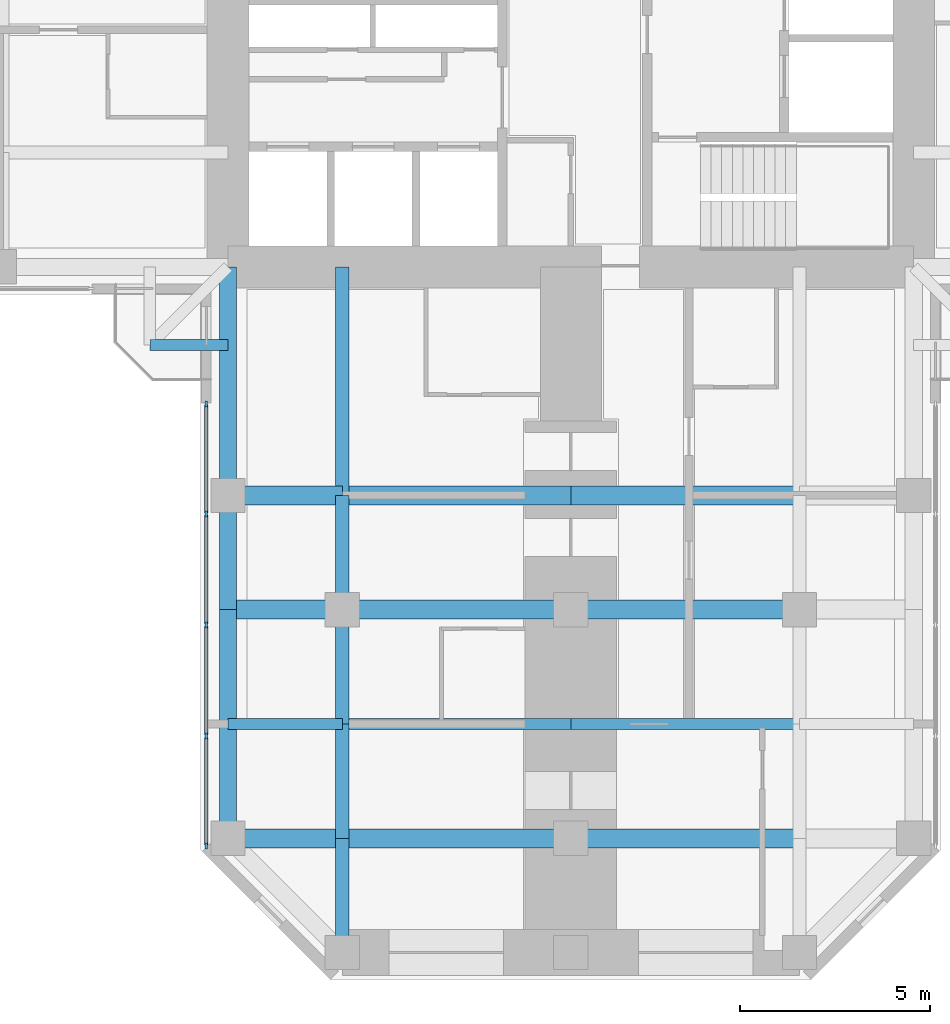
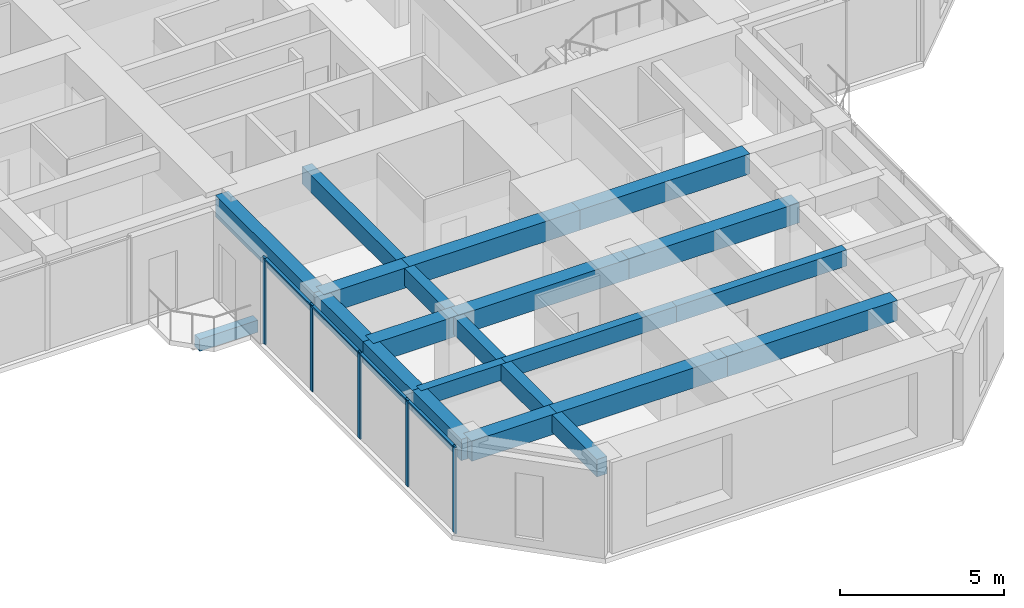
# One storey, part 2 of 14: 22 beams, 9 members, 1 element without a shape of its own.
"""IFC4 building model written with IfcOpenShell, lengths in metres."""

from ifc_helpers import new_model, si_unit, direction, frame, origin, origin_2d, place, context, subcontext, project, spatial, rectangle, extrude, material, material_profile, profile_set, type_object, element, aggregate, save


model = new_model("IFC4")

# Units and contexts
model_context = context("Model", 3, precision=1e-05, world=origin(), true_north=direction((0.0, 1.0)))
body_context = subcontext(model_context, "Body", "Model", "MODEL_VIEW")
ifc_project = project(units=[si_unit("LENGTHUNIT", "METRE"), si_unit("AREAUNIT", "SQUARE_METRE"), si_unit("VOLUMEUNIT", "CUBIC_METRE"), si_unit("PLANEANGLEUNIT", "RADIAN"), si_unit("MASSUNIT", "GRAM", prefix="KILO")], contexts=[model_context])

# Site, building, storey
site_placement = place(None, origin())
site = spatial("IfcSite", under=ifc_project, at=site_placement, CompositionType="ELEMENT")
building_placement = place(site_placement, origin())
building = spatial("IfcBuilding", under=site, at=building_placement, Name="Torre Cruceta", CompositionType="ELEMENT")
storey_placement = place(building_placement, frame((0.0, 0.0, 206.89990234375)))
storey = spatial("IfcBuildingStorey", under=building, at=storey_placement, Name="L52", CompositionType="ELEMENT", Elevation=206.89990234375)

# Beams
ifc_material_1 = material(Name="Concrete G60 (fck 60 MPa)", Category="concrete")
ifc_material_profile_1 = material_profile(ifc_material_1, rectangle(XDim=0.300048828125, YDim=0.449951171875, at=origin_2d()), Name="RC 300X450")
ifc_profile_set_1 = profile_set([ifc_material_profile_1], Name="Concrete G60 (fck 60 MPa)")
beam_type_1 = type_object("IfcBeamType", Name="BALCONY CANTILEVER BEAM RC 300X450", PredefinedType="BEAM", material=ifc_profile_set_1)
beam_1_placement = place(storey_placement, frame((-9.0, -11.050537109375, -0.40478515625), z_axis=(-1.0, 0.0, 0.0), x_axis=(0.0, -1.0, 0.0)))
element("IfcBeam", 1, at=beam_1_placement, inside=storey, type_object=beam_type_1, Name="BB1 balcony edge beam L52 W-Y", PredefinedType="BEAM", context=body_context, shape_type="SweptSolid", body=[
    extrude(rectangle(XDim=0.300048828125, YDim=0.449951171875, at=origin_2d()), origin(), (0.0, 0.0, 1.0), 2.050537109375),
])
ifc_material_2 = material(Name="Concrete G60 (fck 60 MPa)", Category="concrete")
ifc_material_profile_2 = material_profile(ifc_material_2, rectangle(XDim=0.35009765625, YDim=0.64990234375, at=origin_2d()), Name="RC 350X650")
ifc_profile_set_2 = profile_set([ifc_material_profile_2], Name="Concrete G60 (fck 60 MPa)")
beam_type_2 = type_object("IfcBeamType", Name="COLUMN LINE BEAM RC 350X650", PredefinedType="BEAM", material=ifc_profile_set_2)
beam_2_placement = place(storey_placement, frame((-6.0, -9.0, 2.89501953125), z_axis=(0.0, -1.0, 0.0), x_axis=(1.0, 0.0, 0.0)))
element("IfcBeam", 2, at=beam_2_placement, inside=storey, type_object=beam_type_2, Name="LB7 L52 S col- 1", PredefinedType="BEAM", context=body_context, shape_type="SweptSolid", body=[
    extrude(rectangle(XDim=0.35009765625, YDim=0.64990234375, at=origin_2d()), origin(), (0.0, 0.0, 1.0), 6.0),
])
for number, where, z_axis, x_axis, name in (
    (3, (-6.0, -15.0, 2.89501953125), (0.0, -1.0, 0.0), (1.0, 0.0, 0.0), "LB7 L52 S col- 2"),
    (4, (-6.0, -18.0, 2.89501953125), (0.0, -1.0, 0.0), (1.0, 0.0, 0.0), "LB7 L52 S col- 3"),
    (5, (-6.0, -21.0, 2.89501953125), (0.0, -1.0, 0.0), (1.0, 0.0, 0.0), "LB7 L52 S col- 4"),
    (6, (-6.0, -24.0, 2.89501953125), (0.0, -1.0, 0.0), (1.0, 0.0, 0.0), "LB7 L52 S col- 5"),
):
    element("IfcBeam", number, at=place(storey_placement, frame(where, z_axis=z_axis, x_axis=x_axis)), inside=storey, type_object=beam_type_2, Name=name, PredefinedType="BEAM", context=body_context, shape_type="SweptSolid", body=[
        extrude(rectangle(XDim=0.35009765625, YDim=0.64990234375, at=origin_2d()), origin(), (0.0, 0.0, 1.0), 3.0),
    ])
ifc_material_3 = material(Name="Concrete G60 (fck 60 MPa)", Category="concrete")
ifc_material_profile_3 = material_profile(ifc_material_3, rectangle(XDim=0.5, YDim=0.75, at=origin_2d()), Name="RC 500X750")
ifc_profile_set_3 = profile_set([ifc_material_profile_3], Name="Concrete G60 (fck 60 MPa)")
beam_type_3 = type_object("IfcBeamType", Name="CROSS BEAM RC 500X750", PredefinedType="BEAM", material=ifc_profile_set_3)
beam_3_placement = place(storey_placement, frame((-9.0, -15.0, 2.84521484375), z_axis=(1.0, 0.0, 0.0), x_axis=(0.0, 1.0, 0.0)))
element("IfcBeam", 7, at=beam_3_placement, inside=storey, type_object=beam_type_3, Name="GB6 L52 S cross15 1", PredefinedType="BEAM", context=body_context, shape_type="SweptSolid", body=[
    extrude(rectangle(XDim=0.5, YDim=0.75, at=origin_2d()), origin(), (0.0, 0.0, 1.0), 3.0),
])
for number, where, z_axis, x_axis, name in (
    (8, (-6.0, -15.0, 2.84521484375), (1.0, 0.0, 0.0), (0.0, 1.0, 0.0), "GB6 L52 S cross15 2"),
    (9, (0.0, -15.0, 2.84521484375), (1.0, 0.0, 0.0), (0.0, 1.0, 0.0), "GB6 L52 S cross15 3"),
):
    element("IfcBeam", number, at=place(storey_placement, frame(where, z_axis=z_axis, x_axis=x_axis)), inside=storey, type_object=beam_type_3, Name=name, PredefinedType="BEAM", context=body_context, shape_type="SweptSolid", body=[
        extrude(rectangle(XDim=0.5, YDim=0.75, at=origin_2d()), origin(), (0.0, 0.0, 1.0), 6.0),
    ])
beam_4_placement = place(storey_placement, frame((-9.0, -18.0, 2.84521484375), z_axis=(1.0, 0.0, 0.0), x_axis=(0.0, 1.0, 0.0)))
element("IfcBeam", 10, at=beam_4_placement, inside=storey, type_object=beam_type_3, Name="GB6 L52 S cross18 1", PredefinedType="BEAM", context=body_context, shape_type="SweptSolid", body=[
    extrude(rectangle(XDim=0.5, YDim=0.75, at=origin_2d()), origin(), (0.0, 0.0, 1.0), 3.0),
])
for number, where, z_axis, x_axis, name in (
    (11, (-6.0, -18.0, 2.84521484375), (1.0, 0.0, 0.0), (0.0, 1.0, 0.0), "GB6 L52 S cross18 2"),
    (12, (0.0, -18.0, 2.84521484375), (1.0, 0.0, 0.0), (0.0, 1.0, 0.0), "GB6 L52 S cross18 3"),
):
    element("IfcBeam", number, at=place(storey_placement, frame(where, z_axis=z_axis, x_axis=x_axis)), inside=storey, type_object=beam_type_3, Name=name, PredefinedType="BEAM", context=body_context, shape_type="SweptSolid", body=[
        extrude(rectangle(XDim=0.5, YDim=0.75, at=origin_2d()), origin(), (0.0, 0.0, 1.0), 6.0),
    ])
beam_5_placement = place(storey_placement, frame((-9.0, -24.0, 2.84521484375), z_axis=(1.0, 0.0, 0.0), x_axis=(0.0, 1.0, 0.0)))
element("IfcBeam", 13, at=beam_5_placement, inside=storey, type_object=beam_type_3, Name="GB6 L52 S cross24 1", PredefinedType="BEAM", context=body_context, shape_type="SweptSolid", body=[
    extrude(rectangle(XDim=0.5, YDim=0.75, at=origin_2d()), origin(), (0.0, 0.0, 1.0), 3.0),
])
for number, where, z_axis, x_axis, name in (
    (14, (-6.0, -24.0, 2.84521484375), (1.0, 0.0, 0.0), (0.0, 1.0, 0.0), "GB6 L52 S cross24 2"),
    (15, (0.0, -24.0, 2.84521484375), (1.0, 0.0, 0.0), (0.0, 1.0, 0.0), "GB6 L52 S cross24 3"),
):
    element("IfcBeam", number, at=place(storey_placement, frame(where, z_axis=z_axis, x_axis=x_axis)), inside=storey, type_object=beam_type_3, Name=name, PredefinedType="BEAM", context=body_context, shape_type="SweptSolid", body=[
        extrude(rectangle(XDim=0.5, YDim=0.75, at=origin_2d()), origin(), (0.0, 0.0, 1.0), 6.0),
    ])

# Curtain wall, members
ifc_material_4 = material(Name="Aluminium unitised curtain wall", Category="aluminium")
curtain_wall_type = type_object("IfcCurtainWallType", Name="CURTAIN WALL CW-C CO-LIVING", PredefinedType="USERDEFINED", material=ifc_material_4)
curtain_wall_placement = place(storey_placement, origin())
curtain_wall = element("IfcCurtainWall", 16, at=curtain_wall_placement, inside=storey, type_object=curtain_wall_type, Name="CW-C L52 S side 15", ObjectType="UNITISED", PredefinedType="USERDEFINED")
ifc_material_5 = material(Name="Aluminium mullion", Category="aluminium")
ifc_material_profile_4 = material_profile(ifc_material_5, rectangle(XDim=0.06005859375, YDim=0.159912109375, at=origin_2d()), Name="AL 60X160")
ifc_profile_set_4 = profile_set([ifc_material_profile_4], Name="Aluminium mullion")
member_type_1 = type_object("IfcMemberType", Name="CW-C MULLION 60X160", PredefinedType="MULLION", material=ifc_profile_set_4)
member_1_placement = place(storey_placement, frame((-9.570068359375, -12.60009765625, 0.0), z_axis=(0.0, 0.0, 1.0), x_axis=(1.0, 0.0, 0.0)))
member_1 = element("IfcMember", 17, at=member_1_placement, type_object=member_type_1, Name="CW-C mullion 1", PredefinedType="MULLION", context=body_context, shape_type="SweptSolid", body=[
    extrude(rectangle(XDim=0.06005859375, YDim=0.159912109375, at=origin_2d()), origin(), (0.0, 0.0, 1.0), 3.22021484375),
])
member_2_placement = place(storey_placement, frame((-9.570068359375, -15.486572265625, 0.0), z_axis=(0.0, 0.0, 1.0), x_axis=(1.0, 0.0, 0.0)))
member_2 = element("IfcMember", 18, at=member_2_placement, type_object=member_type_1, Name="CW-C mullion 2", PredefinedType="MULLION", context=body_context, shape_type="SweptSolid", body=[
    extrude(rectangle(XDim=0.06005859375, YDim=0.159912109375, at=origin_2d()), origin(), (0.0, 0.0, 1.0), 3.22021484375),
])
member_3_placement = place(storey_placement, frame((-9.570068359375, -18.403076171875, 0.0), z_axis=(0.0, 0.0, 1.0), x_axis=(1.0, 0.0, 0.0)))
member_3 = element("IfcMember", 19, at=member_3_placement, type_object=member_type_1, Name="CW-C mullion 3", PredefinedType="MULLION", context=body_context, shape_type="SweptSolid", body=[
    extrude(rectangle(XDim=0.06005859375, YDim=0.159912109375, at=origin_2d()), origin(), (0.0, 0.0, 1.0), 3.22021484375),
])
member_4_placement = place(storey_placement, frame((-9.570068359375, -21.319580078125, 0.0), z_axis=(0.0, 0.0, 1.0), x_axis=(1.0, 0.0, 0.0)))
member_4 = element("IfcMember", 20, at=member_4_placement, type_object=member_type_1, Name="CW-C mullion 4", PredefinedType="MULLION", context=body_context, shape_type="SweptSolid", body=[
    extrude(rectangle(XDim=0.06005859375, YDim=0.159912109375, at=origin_2d()), origin(), (0.0, 0.0, 1.0), 3.22021484375),
])
member_5_placement = place(storey_placement, frame((-9.570068359375, -24.2060546875, 0.0), z_axis=(0.0, 0.0, 1.0), x_axis=(1.0, 0.0, 0.0)))
member_5 = element("IfcMember", 21, at=member_5_placement, type_object=member_type_1, Name="CW-C mullion 5", PredefinedType="MULLION", context=body_context, shape_type="SweptSolid", body=[
    extrude(rectangle(XDim=0.06005859375, YDim=0.159912109375, at=origin_2d()), origin(), (0.0, 0.0, 1.0), 3.22021484375),
])
ifc_material_6 = material(Name="Aluminium transom", Category="aluminium")
ifc_material_profile_5 = material_profile(ifc_material_6, rectangle(XDim=0.10009765625, YDim=0.06005859375, at=origin_2d()), Name="AL 100X60")
ifc_profile_set_5 = profile_set([ifc_material_profile_5], Name="Aluminium transom")
member_type_2 = type_object("IfcMemberType", Name="CW-C TRANSOM 60X100", PredefinedType="USERDEFINED", material=ifc_profile_set_5)
member_6_placement = place(storey_placement, frame((-9.570068359375, -12.6298828125, 3.190185546875), z_axis=(0.0, -1.0, 0.0), x_axis=(1.0, 0.0, 0.0)))
member_6 = element("IfcMember", 22, at=member_6_placement, type_object=member_type_2, Name="CW-C transom 1", ObjectType="TRANSOM", PredefinedType="USERDEFINED", context=body_context, shape_type="SweptSolid", body=[
    extrude(rectangle(XDim=0.10009765625, YDim=0.06005859375, at=origin_2d()), origin(), (0.0, 0.0, 1.0), 2.82666015625),
])
member_7_placement = place(storey_placement, frame((-9.570068359375, -15.5166015625, 3.190185546875), z_axis=(0.0, -1.0, 0.0), x_axis=(1.0, 0.0, 0.0)))
member_7 = element("IfcMember", 23, at=member_7_placement, type_object=member_type_2, Name="CW-C transom 2", ObjectType="TRANSOM", PredefinedType="USERDEFINED", context=body_context, shape_type="SweptSolid", body=[
    extrude(rectangle(XDim=0.10009765625, YDim=0.06005859375, at=origin_2d()), origin(), (0.0, 0.0, 1.0), 2.8564453125),
])
member_8_placement = place(storey_placement, frame((-9.570068359375, -18.43310546875, 3.190185546875), z_axis=(0.0, -1.0, 0.0), x_axis=(1.0, 0.0, 0.0)))
member_8 = element("IfcMember", 24, at=member_8_placement, type_object=member_type_2, Name="CW-C transom 3", ObjectType="TRANSOM", PredefinedType="USERDEFINED", context=body_context, shape_type="SweptSolid", body=[
    extrude(rectangle(XDim=0.10009765625, YDim=0.06005859375, at=origin_2d()), origin(), (0.0, 0.0, 1.0), 2.8564453125),
])
member_9_placement = place(storey_placement, frame((-9.570068359375, -21.349609375, 3.190185546875), z_axis=(0.0, -1.0, 0.0), x_axis=(1.0, 0.0, 0.0)))
member_9 = element("IfcMember", 25, at=member_9_placement, type_object=member_type_2, Name="CW-C transom 4", ObjectType="TRANSOM", PredefinedType="USERDEFINED", context=body_context, shape_type="SweptSolid", body=[
    extrude(rectangle(XDim=0.10009765625, YDim=0.06005859375, at=origin_2d()), origin(), (0.0, 0.0, 1.0), 2.826416015625),
])
aggregate(curtain_wall, [member_1, member_2, member_3, member_4, member_5, member_6, member_7, member_8, member_9])

# Beams
ifc_material_7 = material(Name="Concrete G60 (fck 60 MPa)", Category="concrete")
ifc_material_profile_6 = material_profile(ifc_material_7, rectangle(XDim=0.300048828125, YDim=0.60009765625, at=origin_2d()), Name="RC 300X600")
ifc_profile_set_6 = profile_set([ifc_material_profile_6], Name="Concrete G60 (fck 60 MPa)")
beam_type_4 = type_object("IfcBeamType", Name="SECONDARY BEAM RC 300X600", PredefinedType="JOIST", material=ifc_profile_set_6)
beam_6_placement = place(storey_placement, frame((-9.0, -21.0, 2.920166015625), z_axis=(1.0, 0.0, 0.0), x_axis=(0.0, 1.0, 0.0)))
element("IfcBeam", 26, at=beam_6_placement, inside=storey, type_object=beam_type_4, Name="JB6 L52 S sec21 1", PredefinedType="JOIST", context=body_context, shape_type="SweptSolid", body=[
    extrude(rectangle(XDim=0.300048828125, YDim=0.60009765625, at=origin_2d()), origin(), (0.0, 0.0, 1.0), 3.0),
])
for number, where, z_axis, x_axis, name in (
    (27, (-6.0, -21.0, 2.920166015625), (1.0, 0.0, 0.0), (0.0, 1.0, 0.0), "JB6 L52 S sec21 2"),
    (28, (0.0, -21.0, 2.920166015625), (1.0, 0.0, 0.0), (0.0, 1.0, 0.0), "JB6 L52 S sec21 3"),
):
    element("IfcBeam", number, at=place(storey_placement, frame(where, z_axis=z_axis, x_axis=x_axis)), inside=storey, type_object=beam_type_4, Name=name, PredefinedType="JOIST", context=body_context, shape_type="SweptSolid", body=[
        extrude(rectangle(XDim=0.300048828125, YDim=0.60009765625, at=origin_2d()), origin(), (0.0, 0.0, 1.0), 6.0),
    ])
ifc_material_8 = material(Name="Concrete G60 (fck 60 MPa)", Category="concrete")
ifc_material_profile_7 = material_profile(ifc_material_8, rectangle(XDim=0.449951171875, YDim=0.800048828125, at=origin_2d()), Name="RC 450X800")
ifc_profile_set_7 = profile_set([ifc_material_profile_7], Name="Concrete G60 (fck 60 MPa)")
beam_type_5 = type_object("IfcBeamType", Name="SPANDREL BEAM RC 450X800", PredefinedType="SPANDREL", material=ifc_profile_set_7)
beam_7_placement = place(storey_placement, frame((-9.0, -9.0, 2.820068359375), z_axis=(0.0, -1.0, 0.0), x_axis=(1.0, 0.0, 0.0)))
element("IfcBeam", 29, at=beam_7_placement, inside=storey, type_object=beam_type_5, Name="SB6 L52 S side- 1", PredefinedType="SPANDREL", context=body_context, shape_type="SweptSolid", body=[
    extrude(rectangle(XDim=0.449951171875, YDim=0.800048828125, at=origin_2d()), origin(), (0.0, 0.0, 1.0), 6.0),
])
for number, where, z_axis, x_axis, name in (
    (30, (-9.0, -15.0, 2.820068359375), (0.0, -1.0, 0.0), (1.0, 0.0, 0.0), "SB6 L52 S side- 2"),
    (31, (-9.0, -18.0, 2.820068359375), (0.0, -1.0, 0.0), (1.0, 0.0, 0.0), "SB6 L52 S side- 3"),
    (32, (-9.0, -21.0, 2.820068359375), (0.0, -1.0, 0.0), (1.0, 0.0, 0.0), "SB6 L52 S side- 4"),
):
    element("IfcBeam", number, at=place(storey_placement, frame(where, z_axis=z_axis, x_axis=x_axis)), inside=storey, type_object=beam_type_5, Name=name, PredefinedType="SPANDREL", context=body_context, shape_type="SweptSolid", body=[
        extrude(rectangle(XDim=0.449951171875, YDim=0.800048828125, at=origin_2d()), origin(), (0.0, 0.0, 1.0), 3.0),
    ])

save(model, "model.ifc")
